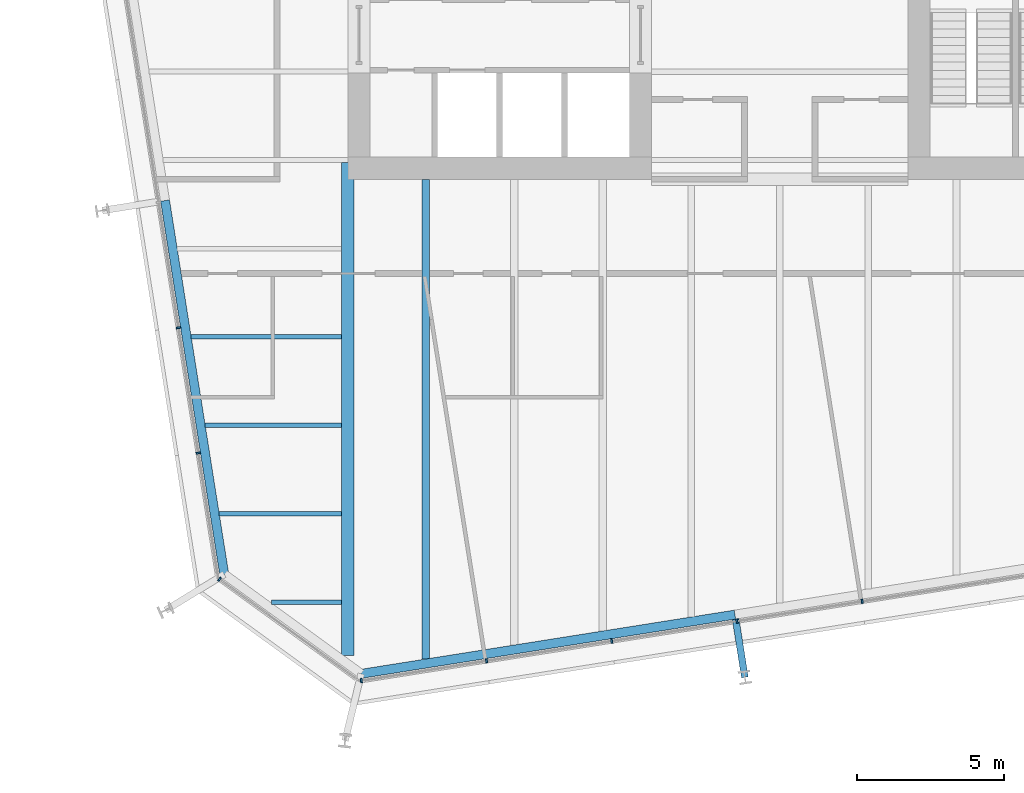
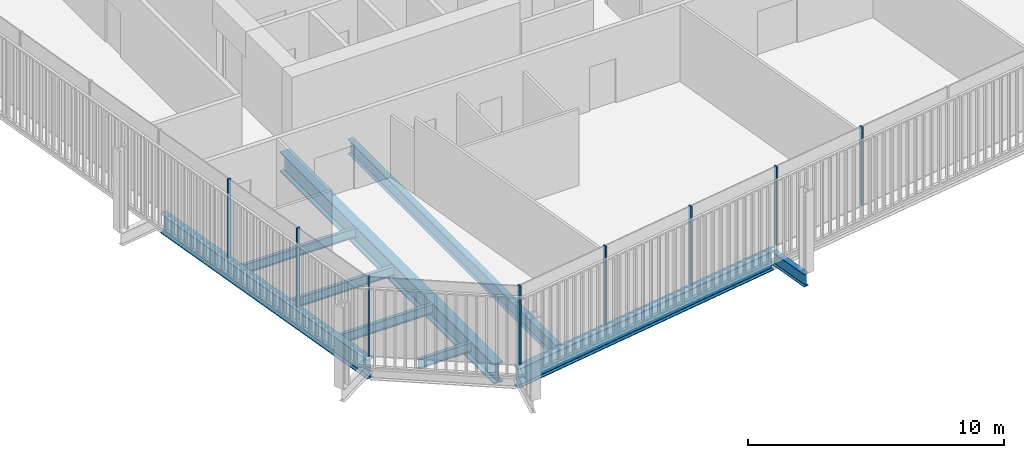
# One storey, part 2 of 21: 9 beams, 8 members, 3 elements without a shape of their own.
"""IFC4 building model written with IfcOpenShell, lengths in metres."""

from ifc_helpers import new_model, si_unit, direction, frame, origin, origin_2d, place, context, subcontext, project, spatial, rectangle, i_section, extrude, material, layer, layer_set, material_profile, profile_set, type_object, element, aggregate, save


model = new_model("IFC4")

# Units and contexts
model_context = context("Model", 3, precision=1e-05, world=origin(), true_north=direction((0.0, 1.0)))
body_context = subcontext(model_context, "Body", "Model", "MODEL_VIEW")
ifc_project = project(units=[si_unit("LENGTHUNIT", "METRE"), si_unit("AREAUNIT", "SQUARE_METRE"), si_unit("VOLUMEUNIT", "CUBIC_METRE"), si_unit("PLANEANGLEUNIT", "RADIAN"), si_unit("MASSUNIT", "GRAM", prefix="KILO")], contexts=[model_context])

# Site, building, storey
site_placement = place(None, origin())
site = spatial("IfcSite", under=ifc_project, at=site_placement, CompositionType="ELEMENT")
building_placement = place(site_placement, origin())
building = spatial("IfcBuilding", under=site, at=building_placement, Name="Millrace Tower", CompositionType="ELEMENT")
storey_placement = place(building_placement, frame((0.0, 0.0, 191.699951171875)))
storey = spatial("IfcBuildingStorey", under=building, at=storey_placement, Name="L43", CompositionType="ELEMENT", Elevation=191.699951171875)

# Curtain wall, member
ifc_material_1 = material(Name="Aluminium and glass", Category="aluminium")
ifc_layer = layer(ifc_material_1, 0.14990234375)
ifc_layer_set = layer_set([ifc_layer], Name="Aluminium and glass")
curtain_wall_type = type_object("IfcCurtainWallType", Name="CW-1 office vision curtain wall", PredefinedType="NOTDEFINED", material=ifc_layer_set)
placement = place(storey_placement, origin())
curtain_wall_1 = element("IfcCurtainWall", 1, at=placement, inside=storey, type_object=curtain_wall_type, Name="Curtain wall C-F01 L43", PredefinedType="NOTDEFINED")
ifc_material_2 = material(Name="Aluminium", Category="aluminium")
ifc_material_profile_1 = material_profile(ifc_material_2, rectangle(XDim=0.06494140625, YDim=0.14990234375, at=origin_2d()))
ifc_profile_set_1 = profile_set([ifc_material_profile_1], Name="Aluminium")
member_type = type_object("IfcMemberType", Name="CW-1 office vision curtain wall mullion", PredefinedType="MULLION", material=ifc_profile_set_1)
member_1_placement = place(storey_placement, frame((-19.00146484375, -23.2177734375, 0.14013671875), z_axis=(0.0, 0.0, 1.0), x_axis=(0.809016981623, -0.587785269844, 0.0)))
member_1 = element("IfcMember", 2, at=member_1_placement, type_object=member_type, Name="CW1 mullion C-F01.1", PredefinedType="MULLION", context=body_context, shape_type="SweptSolid", body=[
    extrude(rectangle(XDim=0.06494140625, YDim=0.14990234375, at=origin_2d()), origin(), (0.0, 0.0, 1.0), 3.760009765625),
])
aggregate(curtain_wall_1, [member_1])

# Curtain wall, members
curtain_wall_2 = element("IfcCurtainWall", 3, at=placement, inside=storey, type_object=curtain_wall_type, Name="Curtain wall C-F02 L43", PredefinedType="NOTDEFINED")
member_2_placement = place(storey_placement, frame((-14.191650390625, -26.65673828125, 0.14013671875), z_axis=(0.0, 0.0, 1.0), x_axis=(0.98768833929, 0.15643447328, 0.0)))
member_2 = element("IfcMember", 4, at=member_2_placement, type_object=member_type, Name="CW1 mullion C-F02.1", PredefinedType="MULLION", context=body_context, shape_type="SweptSolid", body=[
    extrude(rectangle(XDim=0.06494140625, YDim=0.14990234375, at=origin_2d()), origin(), (0.0, 0.0, 1.0), 3.760009765625),
])
member_3_placement = place(storey_placement, frame((-9.944580078125, -25.98388671875, 0.14013671875), z_axis=(0.0, 0.0, 1.0), x_axis=(0.98768833929, 0.15643447328, 0.0)))
member_3 = element("IfcMember", 5, at=member_3_placement, type_object=member_type, Name="CW1 mullion C-F02.2", PredefinedType="MULLION", context=body_context, shape_type="SweptSolid", body=[
    extrude(rectangle(XDim=0.06494140625, YDim=0.14990234375, at=origin_2d()), origin(), (0.0, 0.0, 1.0), 3.760009765625),
])
member_4_placement = place(storey_placement, frame((-5.697509765625, -25.311279296875, 0.14013671875), z_axis=(0.0, 0.0, 1.0), x_axis=(0.98768833929, 0.15643447328, 0.0)))
member_4 = element("IfcMember", 6, at=member_4_placement, type_object=member_type, Name="CW1 mullion C-F02.3", PredefinedType="MULLION", context=body_context, shape_type="SweptSolid", body=[
    extrude(rectangle(XDim=0.06494140625, YDim=0.14990234375, at=origin_2d()), origin(), (0.0, 0.0, 1.0), 3.760009765625),
])
member_5_placement = place(storey_placement, frame((-1.450439453125, -24.638671875, 0.14013671875), z_axis=(0.0, 0.0, 1.0), x_axis=(0.98768833929, 0.15643447328, 0.0)))
member_5 = element("IfcMember", 7, at=member_5_placement, type_object=member_type, Name="CW1 mullion C-F02.4", PredefinedType="MULLION", context=body_context, shape_type="SweptSolid", body=[
    extrude(rectangle(XDim=0.06494140625, YDim=0.14990234375, at=origin_2d()), origin(), (0.0, 0.0, 1.0), 3.760009765625),
])
member_6_placement = place(storey_placement, frame((2.796630859375, -23.966064453125, 0.14013671875), z_axis=(0.0, 0.0, 1.0), x_axis=(0.98768833929, 0.15643447328, 0.0)))
member_6 = element("IfcMember", 8, at=member_6_placement, type_object=member_type, Name="CW1 mullion C-F02.5", PredefinedType="MULLION", context=body_context, shape_type="SweptSolid", body=[
    extrude(rectangle(XDim=0.06494140625, YDim=0.14990234375, at=origin_2d()), origin(), (0.0, 0.0, 1.0), 3.760009765625),
])
aggregate(curtain_wall_2, [member_2, member_3, member_4, member_5, member_6])

curtain_wall_3 = element("IfcCurtainWall", 9, at=placement, inside=storey, type_object=curtain_wall_type, Name="Curtain wall C-F08 L43", PredefinedType="NOTDEFINED")
member_7_placement = place(storey_placement, frame((-20.39794921875, -14.687744140625, 0.14013671875), z_axis=(0.0, 0.0, 1.0), x_axis=(0.15643447328, -0.98768833929, 0.0)))
member_7 = element("IfcMember", 10, at=member_7_placement, type_object=member_type, Name="CW1 mullion C-F08.8", PredefinedType="MULLION", context=body_context, shape_type="SweptSolid", body=[
    extrude(rectangle(XDim=0.06494140625, YDim=0.14990234375, at=origin_2d()), origin(), (0.0, 0.0, 1.0), 3.760009765625),
])
member_8_placement = place(storey_placement, frame((-19.725341796875, -18.934814453125, 0.14013671875), z_axis=(0.0, 0.0, 1.0), x_axis=(0.15643447328, -0.98768833929, 0.0)))
member_8 = element("IfcMember", 11, at=member_8_placement, type_object=member_type, Name="CW1 mullion C-F08.9", PredefinedType="MULLION", context=body_context, shape_type="SweptSolid", body=[
    extrude(rectangle(XDim=0.06494140625, YDim=0.14990234375, at=origin_2d()), origin(), (0.0, 0.0, 1.0), 3.760009765625),
])
aggregate(curtain_wall_3, [member_7, member_8])

# Beams
ifc_material_3 = material(Name="Steel ASTM A992 Grade 50", Category="steel")
ifc_material_profile_2 = material_profile(ifc_material_3, i_section(OverallWidth=0.15234375, OverallDepth=0.449462890625, WebThickness=0.007568359375, FlangeThickness=0.0107421875, FilletRadius=0.01025390625, at=origin_2d()))
ifc_profile_set_2 = profile_set([ifc_material_profile_2], Name="Steel ASTM A992 Grade 50")
beam_type_1 = type_object("IfcBeamType", Name="Floor beam W18x35", PredefinedType="JOIST", material=ifc_profile_set_2)
beam_1_placement = place(storey_placement, frame((-19.01123046875, -21.0, -0.384765625), z_axis=(1.0, 0.0, 0.0), x_axis=(0.0, 1.0, 0.0)))
element("IfcBeam", 12, at=beam_1_placement, inside=storey, type_object=beam_type_1, Name="BM-C-L43-S1-S002", PredefinedType="JOIST", context=body_context, shape_type="SweptSolid", body=[
    extrude(i_section(OverallWidth=0.15234375, OverallDepth=0.449462890625, WebThickness=0.007568359375, FlangeThickness=0.0107421875, FilletRadius=0.01025390625, at=origin_2d()), origin(), (0.0, 0.0, 1.0), 4.151611328125),
])
beam_2_placement = place(storey_placement, frame((-19.486328125, -18.0, -0.384765625), z_axis=(1.0, 0.0, 0.0), x_axis=(0.0, 1.0, 0.0)))
element("IfcBeam", 13, at=beam_2_placement, inside=storey, type_object=beam_type_1, Name="BM-C-L43-S1-S004", PredefinedType="JOIST", context=body_context, shape_type="SweptSolid", body=[
    extrude(i_section(OverallWidth=0.15234375, OverallDepth=0.449462890625, WebThickness=0.007568359375, FlangeThickness=0.0107421875, FilletRadius=0.01025390625, at=origin_2d()), origin(), (0.0, 0.0, 1.0), 4.626708984375),
])
beam_3_placement = place(storey_placement, frame((-19.96142578125, -15.0, -0.384765625), z_axis=(1.0, 0.0, 0.0), x_axis=(0.0, 1.0, 0.0)))
element("IfcBeam", 14, at=beam_3_placement, inside=storey, type_object=beam_type_1, Name="BM-C-L43-S1-S006", PredefinedType="JOIST", context=body_context, shape_type="SweptSolid", body=[
    extrude(i_section(OverallWidth=0.15234375, OverallDepth=0.449462890625, WebThickness=0.007568359375, FlangeThickness=0.0107421875, FilletRadius=0.01025390625, at=origin_2d()), origin(), (0.0, 0.0, 1.0), 5.101806640625),
])
beam_4_placement = place(storey_placement, frame((-17.246337890625, -24.0, -0.384765625), z_axis=(1.0, 0.0, 0.0), x_axis=(0.0, 1.0, 0.0)))
element("IfcBeam", 15, at=beam_4_placement, inside=storey, type_object=beam_type_1, Name="BM-C-L43-S1-S001", PredefinedType="JOIST", context=body_context, shape_type="SweptSolid", body=[
    extrude(i_section(OverallWidth=0.15234375, OverallDepth=0.449462890625, WebThickness=0.007568359375, FlangeThickness=0.0107421875, FilletRadius=0.01025390625, at=origin_2d()), origin(), (0.0, 0.0, 1.0), 2.38671875),
])
ifc_material_4 = material(Name="Steel ASTM A992 Grade 50", Category="steel")
ifc_material_profile_3 = material_profile(ifc_material_4, i_section(OverallWidth=0.256591796875, OverallDepth=0.693359375, WebThickness=0.014404296875, FlangeThickness=0.023681640625, FilletRadius=0.01513671875, at=origin_2d()))
ifc_profile_set_3 = profile_set([ifc_material_profile_3], Name="Steel ASTM A992 Grade 50")
beam_type_2 = type_object("IfcBeamType", Name="Floor beam W27x114", PredefinedType="JOIST", material=ifc_profile_set_3)
beam_5_placement = place(storey_placement, frame((-12.0, -25.92236328125, -0.506591796875), z_axis=(0.0, 1.0, 0.0), x_axis=(-1.0, 0.0, 0.0)))
element("IfcBeam", 16, at=beam_5_placement, inside=storey, type_object=beam_type_2, Name="BM-C-L43-S1-S040", PredefinedType="JOIST", context=body_context, shape_type="SweptSolid", body=[
    extrude(i_section(OverallWidth=0.256591796875, OverallDepth=0.693359375, WebThickness=0.014404296875, FlangeThickness=0.023681640625, FilletRadius=0.01513671875, at=origin_2d()), origin(), (0.0, 0.0, 1.0), 16.2724609375),
])
ifc_material_5 = material(Name="Steel ASTM A992 Grade 50", Category="steel")
ifc_material_profile_4 = material_profile(ifc_material_5, i_section(OverallWidth=0.424072265625, OverallDepth=0.947509765625, WebThickness=0.02392578125, FlangeThickness=0.042724609375, FilletRadius=0.024169921875, at=origin_2d()))
ifc_profile_set_4 = profile_set([ifc_material_profile_4], Name="Steel ASTM A992 Grade 50")
beam_type_3 = type_object("IfcBeamType", Name="Girder medium span W36x302", PredefinedType="BEAM", material=ifc_profile_set_4)
beam_6_placement = place(storey_placement, frame((-14.64990234375, -25.806640625, -0.633544921875), z_axis=(0.0, 1.0, 0.0), x_axis=(-1.0, 0.0, 0.0)))
element("IfcBeam", 17, at=beam_6_placement, inside=storey, type_object=beam_type_3, Name="BM-C-L43-S1-G058", PredefinedType="BEAM", context=body_context, shape_type="SweptSolid", body=[
    extrude(i_section(OverallWidth=0.424072265625, OverallDepth=0.947509765625, WebThickness=0.02392578125, FlangeThickness=0.042724609375, FilletRadius=0.024169921875, at=origin_2d()), origin(), (0.0, 0.0, 1.0), 16.720703125),
])
ifc_material_6 = material(Name="Steel ASTM A992 Grade 50", Category="steel")
ifc_material_profile_5 = material_profile(ifc_material_6, i_section(OverallWidth=0.23046875, OverallDepth=0.6171875, WebThickness=0.01318359375, FlangeThickness=0.022216796875, FilletRadius=0.012939453125, at=origin_2d()))
ifc_profile_set_5 = profile_set([ifc_material_profile_5], Name="Steel ASTM A992 Grade 50")
beam_type_4 = type_object("IfcBeamType", Name="Link beam W24x94", PredefinedType="BEAM", material=ifc_profile_set_5)
beam_7_placement = place(storey_placement, frame((-1.494384765625, -24.569580078125, -0.468505859375), z_axis=(0.156476509441, -0.987681680499, 0.0), x_axis=(0.987681680499, 0.156476509441, 0.0)))
element("IfcBeam", 18, at=beam_7_placement, inside=storey, type_object=beam_type_4, Name="LNK-C-L43-S1-15", PredefinedType="BEAM", context=body_context, shape_type="SweptSolid", body=[
    extrude(i_section(OverallWidth=0.23046875, OverallDepth=0.6171875, WebThickness=0.01318359375, FlangeThickness=0.022216796875, FilletRadius=0.012939453125, at=origin_2d()), origin(), (0.0, 0.0, 1.0), 2.000244140625),
])
ifc_material_7 = material(Name="Steel ASTM A992 Grade 50", Category="steel")
ifc_material_profile_6 = material_profile(ifc_material_7, i_section(OverallWidth=0.307373046875, OverallDepth=0.927001953125, WebThickness=0.01953125, FlangeThickness=0.031982421875, FilletRadius=0.01904296875, at=origin_2d()))
ifc_profile_set_6 = profile_set([ifc_material_profile_6], Name="Steel ASTM A992 Grade 50")
beam_type_5 = type_object("IfcBeamType", Name="Ring beam medium span W36x194", PredefinedType="SPANDREL", material=ifc_profile_set_6)
beam_8_placement = place(storey_placement, frame((-18.841796875, -23.051025390625, -0.62353515625), z_axis=(-0.156436246498, 0.987688058438, 0.0), x_axis=(-0.987688058438, -0.156436246498, 0.0)))
element("IfcBeam", 19, at=beam_8_placement, inside=storey, type_object=beam_type_5, Name="RNG-C-L43-S1-01", PredefinedType="SPANDREL", context=body_context, shape_type="SweptSolid", body=[
    extrude(i_section(OverallWidth=0.307373046875, OverallDepth=0.927001953125, WebThickness=0.01953125, FlangeThickness=0.031982421875, FilletRadius=0.01904296875, at=origin_2d()), origin(), (0.0, 0.0, 1.0), 12.836181640625),
])
beam_9_placement = place(storey_placement, frame((-1.518310546875, -24.41796875, -0.62353515625), z_axis=(-0.987688523879, -0.15643330783, 0.0), x_axis=(0.15643330783, -0.987688523879, 0.0)))
element("IfcBeam", 20, at=beam_9_placement, inside=storey, type_object=beam_type_5, Name="RNG-C-L43-S1-15", PredefinedType="SPANDREL", context=body_context, shape_type="SweptSolid", body=[
    extrude(i_section(OverallWidth=0.307373046875, OverallDepth=0.927001953125, WebThickness=0.01953125, FlangeThickness=0.031982421875, FilletRadius=0.01904296875, at=origin_2d()), origin(), (0.0, 0.0, 1.0), 12.83642578125),
])

save(model, "model.ifc")
